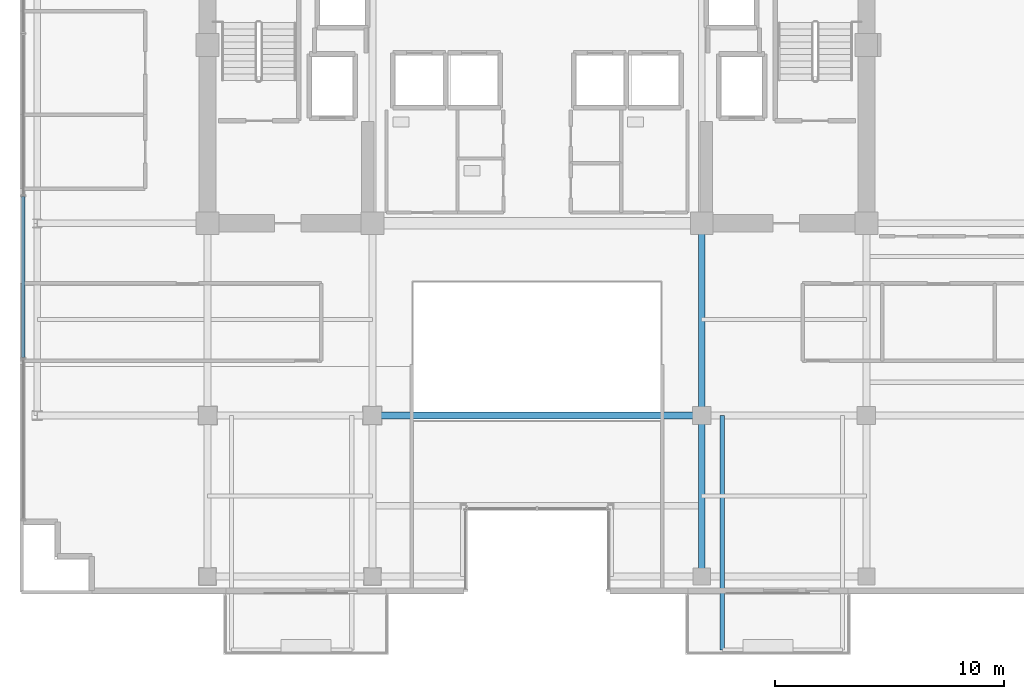
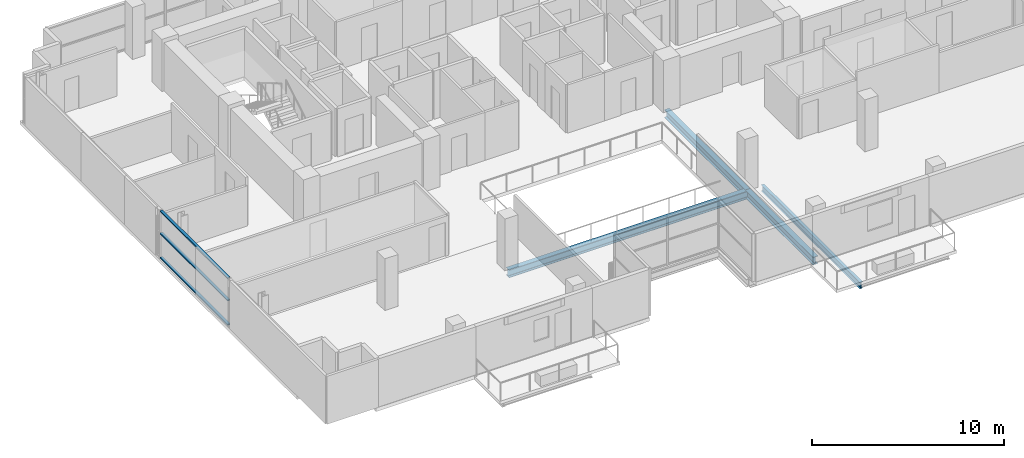
# One storey, part 6 of 22: 4 beams, 3 members, 1 element without a shape of its own.
"""IFC4 building model written with IfcOpenShell, lengths in metres."""

from ifc_helpers import new_model, si_unit, direction, frame, origin, origin_2d, place, context, subcontext, project, spatial, hollow_rectangle, i_section, extrude, source, transform, mapped, material, layer, layer_set, material_profile, profile_set, type_object, element, aggregate, save


model = new_model("IFC4")

# Units and contexts
model_context = context("Model", 3, precision=1e-05, world=origin(), true_north=direction((0.0, 1.0)))
body_context = subcontext(model_context, "Body", "Model", "MODEL_VIEW")
ifc_project = project(units=[si_unit("LENGTHUNIT", "METRE"), si_unit("AREAUNIT", "SQUARE_METRE"), si_unit("VOLUMEUNIT", "CUBIC_METRE"), si_unit("PLANEANGLEUNIT", "RADIAN"), si_unit("MASSUNIT", "GRAM", prefix="KILO")], contexts=[model_context])

# Site, building, storey
site_placement = place(None, origin())
site = spatial("IfcSite", under=ifc_project, at=site_placement, CompositionType="ELEMENT")
building_placement = place(site_placement, origin())
building = spatial("IfcBuilding", under=site, at=building_placement, Name="Zarnakvel Exchange Tower", CompositionType="ELEMENT")
storey_placement = place(building_placement, frame((0.0, 0.0, 195.699951171875)))
storey = spatial("IfcBuildingStorey", under=building, at=storey_placement, Name="L55", CompositionType="ELEMENT", Elevation=195.699951171875)

# Beams
ifc_material_1 = material(Name="Steel S355", Category="steel")
ifc_material_profile_1 = material_profile(ifc_material_1, i_section(OverallWidth=0.179931640625, OverallDepth=0.39990234375, WebThickness=0.008544921875, FlangeThickness=0.013427734375, FilletRadius=0.02099609375, at=origin_2d()))
ifc_profile_set_1 = profile_set([ifc_material_profile_1], Name="Steel S355")
beam_type_1 = type_object("IfcBeamType", Name="B-06", PredefinedType="JOIST", material=ifc_profile_set_1)
beam_1_placement = place(storey_placement, frame((8.10009765625, -9.60009765625, -0.425048828125), z_axis=(0.0, -1.0, 0.0), x_axis=(1.0, 0.0, 0.0)))
element("IfcBeam", 1, at=beam_1_placement, inside=storey, type_object=beam_type_1, Name="L55 Continuous Back-Spanned Balcony Beam W", PredefinedType="JOIST", context=body_context, shape_type="SweptSolid", body=[
    extrude(i_section(OverallWidth=0.179931640625, OverallDepth=0.39990234375, WebThickness=0.008544921875, FlangeThickness=0.013427734375, FilletRadius=0.02099609375, at=origin_2d()), origin(), (0.0, 0.0, 1.0), 10.25),
])
ifc_material_profile_2 = material_profile(ifc_material_1, i_section(OverallWidth=0.300048828125, OverallDepth=0.5, WebThickness=0.014404296875, FlangeThickness=0.028076171875, FilletRadius=0.027099609375, at=origin_2d()))
ifc_profile_set_2 = profile_set([ifc_material_profile_2], Name="Steel S355")
beam_type_2 = type_object("IfcBeamType", Name="G-06", PredefinedType="BEAM", material=ifc_profile_set_2)
beam_2_placement = place(storey_placement, frame((-7.199951171875, -9.60009765625, -0.474853515625), z_axis=(1.0, 0.0, 0.0), x_axis=(0.0, 1.0, 0.0)))
element("IfcBeam", 2, at=beam_2_placement, inside=storey, type_object=beam_type_2, Name="L55 Tower E-W Frame Beam", PredefinedType="BEAM", context=body_context, shape_type="SweptSolid", body=[
    extrude(i_section(OverallWidth=0.300048828125, OverallDepth=0.5, WebThickness=0.014404296875, FlangeThickness=0.028076171875, FilletRadius=0.027099609375, at=origin_2d()), origin(), (0.0, 0.0, 1.0), 14.39990234375),
])
beam_3_placement = place(storey_placement, frame((7.199951171875, -16.64990234375, -0.474853515625), z_axis=(0.0, 1.0, 0.0), x_axis=(-1.0, 0.0, 0.0)))
element("IfcBeam", 3, at=beam_3_placement, inside=storey, type_object=beam_type_2, Name="L55 Tower N-S Frame Beam", PredefinedType="BEAM", context=body_context, shape_type="SweptSolid", body=[
    extrude(i_section(OverallWidth=0.300048828125, OverallDepth=0.5, WebThickness=0.014404296875, FlangeThickness=0.028076171875, FilletRadius=0.027099609375, at=origin_2d()), origin(), (0.0, 0.0, 1.0), 7.0498046875),
])
beam_4_placement = place(storey_placement, frame((7.199951171875, -9.60009765625, -0.474853515625), z_axis=(0.0, 1.0, 0.0), x_axis=(-1.0, 0.0, 0.0)))
element("IfcBeam", 4, at=beam_4_placement, inside=storey, type_object=beam_type_2, Name="L55 Tower N-S Frame Beam", PredefinedType="BEAM", context=body_context, shape_type="SweptSolid", body=[
    extrude(i_section(OverallWidth=0.300048828125, OverallDepth=0.5, WebThickness=0.014404296875, FlangeThickness=0.028076171875, FilletRadius=0.027099609375, at=origin_2d()), origin(), (0.0, 0.0, 1.0), 8.400146484375),
])

# Curtain wall, members
ifc_material_2 = material(Name="Architectural Bronze Anodised Aluminium", Category="aluminium")
ifc_layer = layer(ifc_material_2, 0.199951171875)
ifc_layer_set = layer_set([ifc_layer], Name="Architectural Bronze Anodised Aluminium")
curtain_wall_type = type_object("IfcCurtainWallType", Name="CW-04", PredefinedType="NOTDEFINED", material=ifc_layer_set)
curtain_wall_placement = place(storey_placement, origin())
curtain_wall = element("IfcCurtainWall", 5, at=curtain_wall_placement, inside=storey, type_object=curtain_wall_type, Name="L55 Curtain Wall CW-L55-W1 (CW-04)", PredefinedType="NOTDEFINED")
ifc_material_profile_3 = material_profile(ifc_material_2, hollow_rectangle(XDim=0.159912109375, YDim=0.074951171875, WallThickness=0.00390625, at=origin_2d()))
ifc_profile_set_3 = profile_set([ifc_material_profile_3], Name="Architectural Bronze Anodised Aluminium")
member_type = type_object("IfcMemberType", Name="CWT-04", PredefinedType="USERDEFINED", material=ifc_profile_set_3)
shared_shape = source(origin(), body_context, "Body", "SweptSolid", [
    extrude(hollow_rectangle(XDim=0.159912109375, YDim=0.074951171875, WallThickness=0.00390625, at=origin_2d()), origin(), (0.0, 0.0, 1.0), 7.02490234375),
])
member_1_placement = place(storey_placement, frame((-22.4599609375, -7.0625, 0.03759765625), z_axis=(0.0, 1.0, 0.0), x_axis=(-1.0, 0.0, 0.0)))
member_1 = element("IfcMember", 6, at=member_1_placement, type_object=member_type, Name="CW-04 transom 2.1", ObjectType="TRANSOM", PredefinedType="USERDEFINED", context=body_context, shape_type="MappedRepresentation", body=[
    mapped(shared_shape, transform((0.0, 0.0, 0.0), x_axis=(1.0, 0.0, 0.0), y_axis=(0.0, 1.0, 0.0), z_axis=(0.0, 0.0, 1.0), scale=1.0)),
])
member_2_placement = place(storey_placement, frame((-22.4599609375, -7.0625, 1.57568359375), z_axis=(0.0, 1.0, 0.0), x_axis=(-1.0, 0.0, 0.0)))
member_2 = element("IfcMember", 7, at=member_2_placement, type_object=member_type, Name="CW-04 transom 2.2", ObjectType="TRANSOM", PredefinedType="USERDEFINED", context=body_context, shape_type="MappedRepresentation", body=[
    mapped(shared_shape, transform((0.0, 0.0, 0.0), x_axis=(1.0, 0.0, 0.0), y_axis=(0.0, 1.0, 0.0), z_axis=(0.0, 0.0, 1.0), scale=1.0)),
])
member_3_placement = place(storey_placement, frame((-22.4599609375, -7.0625, 2.992431640625), z_axis=(0.0, 1.0, 0.0), x_axis=(-1.0, 0.0, 0.0)))
member_3 = element("IfcMember", 8, at=member_3_placement, type_object=member_type, Name="CW-04 transom 2.3", ObjectType="TRANSOM", PredefinedType="USERDEFINED", context=body_context, shape_type="MappedRepresentation", body=[
    mapped(shared_shape, transform((0.0, 0.0, 0.0), x_axis=(1.0, 0.0, 0.0), y_axis=(0.0, 1.0, 0.0), z_axis=(0.0, 0.0, 1.0), scale=1.0)),
])
aggregate(curtain_wall, [member_1, member_2, member_3])

save(model, "model.ifc")
